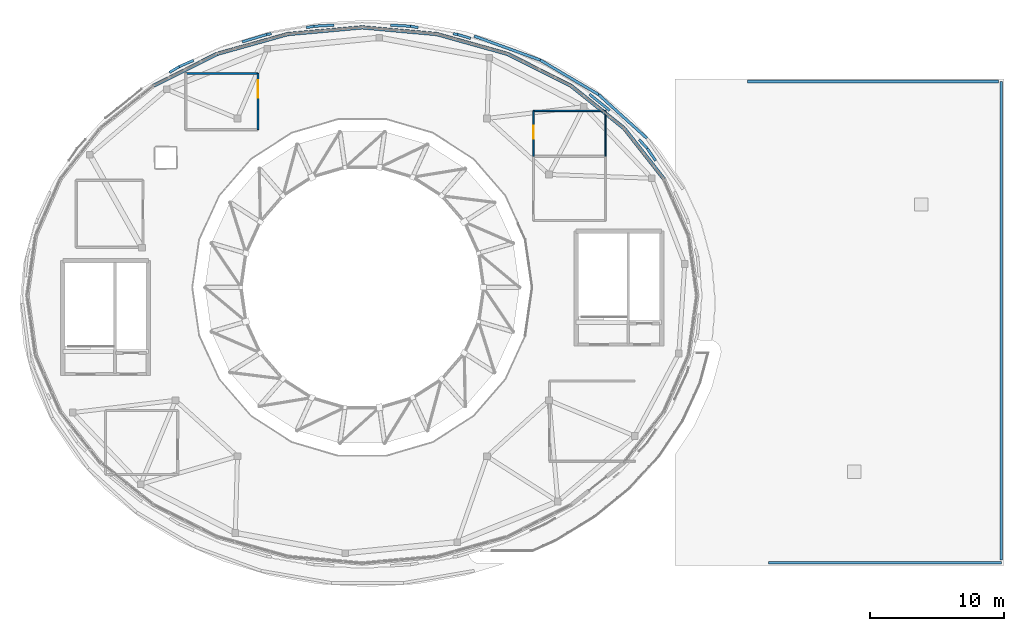
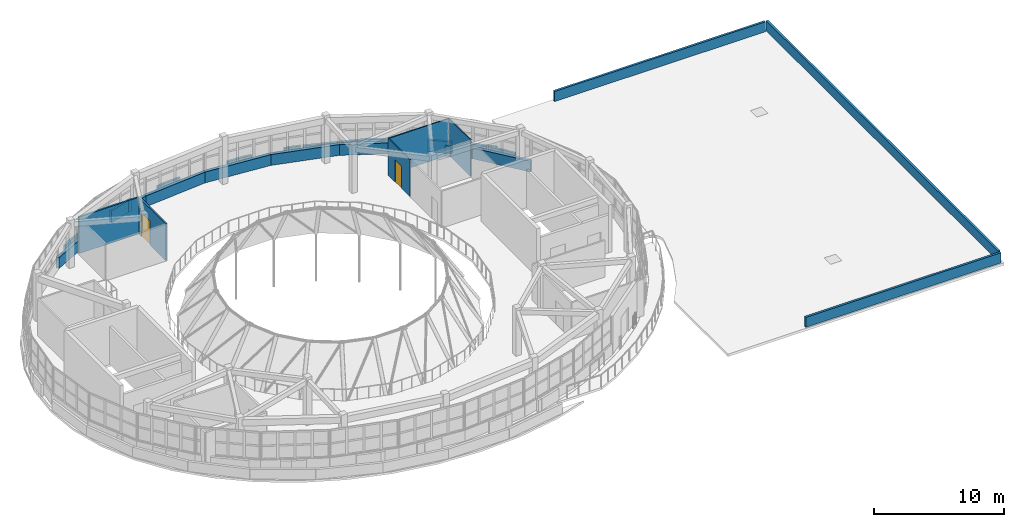
# One storey, part 35 of 38: 32 walls, 2 doors, 2 openings.
"""IFC4 building model written with IfcOpenShell, lengths in metres."""

from ifc_helpers import new_model, si_unit, direction, frame, frame_2d, origin, place, context, subcontext, project, spatial, rectangle, extrude, material, layer, layer_set, type_object, element, fill, save


model = new_model("IFC4")

# Units and contexts
model_context = context("Model", 3, precision=1e-05, world=origin(), true_north=direction((0.0, 1.0)))
body_context = subcontext(model_context, "Body", "Model", "MODEL_VIEW")
ifc_project = project(units=[si_unit("LENGTHUNIT", "METRE"), si_unit("AREAUNIT", "SQUARE_METRE"), si_unit("VOLUMEUNIT", "CUBIC_METRE"), si_unit("PLANEANGLEUNIT", "RADIAN"), si_unit("MASSUNIT", "GRAM", prefix="KILO")], contexts=[model_context])

# Site, building, storey
site_placement = place(None, origin())
site = spatial("IfcSite", under=ifc_project, at=site_placement, CompositionType="ELEMENT")
building_placement = place(site_placement, origin())
building = spatial("IfcBuilding", under=site, at=building_placement, Name="Pelvatis Terrace Science Centre", CompositionType="ELEMENT")
storey_placement = place(building_placement, frame((0.0, 0.0, 24.300048828125)))
storey = spatial("IfcBuildingStorey", under=building, at=storey_placement, Name="L05", CompositionType="ELEMENT", Elevation=24.300048828125)

# Walls
ifc_material_1 = material(Name="White architectural precast concrete C40/50 spandrel", Category="concrete")
ifc_layer_1 = layer(ifc_material_1, 0.27490234375)
ifc_layer_set_1 = layer_set([ifc_layer_1], Name="White architectural precast concrete C40/50 spandrel")
wall_type_1 = type_object("IfcWallType", Name="WL-EXT-SPND-275", PredefinedType="SOLIDWALL", material=ifc_layer_set_1)
wall_1_placement = place(storey_placement, frame((131.769287109375, 93.8994140625, 0.0), z_axis=(0.0, 0.0, 1.0), x_axis=(-0.617498011037, 0.786572441906, 0.0)))
element("IfcWall", 1, at=wall_1_placement, inside=storey, type_object=wall_type_1, Name="V1 white spiral spandrel band 03 (L05)", PredefinedType="SOLIDWALL", context=body_context, shape_type="SweptSolid", body=[
    extrude(rectangle(XDim=4.8330078125, YDim=0.27490234375, at=frame_2d((2.41650390625, 0.0))), origin(), (0.0, 0.0, 1.0), 1.02001953125),
])
wall_2_placement = place(storey_placement, frame((128.784912109375, 97.700927734375, 0.0), z_axis=(0.0, 0.0, 1.0), x_axis=(-0.780718767482, 0.624882553846, 0.0)))
element("IfcWall", 2, at=wall_2_placement, inside=storey, type_object=wall_type_1, Name="V1 white spiral spandrel band 04 (L05)", PredefinedType="SOLIDWALL", context=body_context, shape_type="SweptSolid", body=[
    extrude(rectangle(XDim=5.08056640625, YDim=0.27490234375, at=frame_2d((2.540283203125, 0.0))), origin(), (0.0, 0.0, 1.0), 1.02001953125),
])
wall_3_placement = place(storey_placement, frame((124.818359375, 100.875732421875, 0.0), z_axis=(0.0, 0.0, 1.0), x_axis=(-0.893377705007, 0.449306439076, 0.0)))
element("IfcWall", 3, at=wall_3_placement, inside=storey, type_object=wall_type_1, Name="V1 white spiral spandrel band 05 (L05)", PredefinedType="SOLIDWALL", context=body_context, shape_type="SweptSolid", body=[
    extrude(rectangle(XDim=5.31640625, YDim=0.27490234375, at=frame_2d((2.658203125, 0.0))), origin(), (0.0, 0.0, 1.0), 1.02001953125),
])
wall_4_placement = place(storey_placement, frame((120.06884765625, 103.264404296875, 0.0), z_axis=(0.0, 0.0, 1.0), x_axis=(-0.962945110284, 0.269697450079, 0.0)))
element("IfcWall", 4, at=wall_4_placement, inside=storey, type_object=wall_type_1, Name="V1 white spiral spandrel band 06 (L05)", PredefinedType="SOLIDWALL", context=body_context, shape_type="SweptSolid", body=[
    extrude(rectangle(XDim=5.49853515625, YDim=0.27490234375, at=frame_2d((2.749267578125, 0.0))), origin(), (0.0, 0.0, 1.0), 1.02001953125),
])
wall_5_placement = place(storey_placement, frame((114.774169921875, 104.747314453125, 0.0), z_axis=(0.0, 0.0, 1.0), x_axis=(-0.995958378124, 0.08981597322, 0.0)))
element("IfcWall", 5, at=wall_5_placement, inside=storey, type_object=wall_type_1, Name="V1 white spiral spandrel band 07 (L05)", PredefinedType="SOLIDWALL", context=body_context, shape_type="SweptSolid", body=[
    extrude(rectangle(XDim=5.596923828125, YDim=0.27490234375, at=frame_2d((2.79833984375, 0.0))), origin(), (0.0, 0.0, 1.0), 1.02001953125),
])
wall_6_placement = place(storey_placement, frame((109.199951171875, 105.25, 0.0), z_axis=(0.0, 0.0, 1.0), x_axis=(-0.995958026213, -0.089819875431, 0.0)))
element("IfcWall", 6, at=wall_6_placement, inside=storey, type_object=wall_type_1, Name="V1 white spiral spandrel band 08 (L05)", PredefinedType="SOLIDWALL", context=body_context, shape_type="SweptSolid", body=[
    extrude(rectangle(XDim=5.5966796875, YDim=0.27490234375, at=frame_2d((2.79833984375, 0.0))), origin(), (0.0, 0.0, 1.0), 1.02001953125),
])
wall_7_placement = place(storey_placement, frame((103.6259765625, 104.747314453125, 0.0), z_axis=(0.0, 0.0, 1.0), x_axis=(-0.962945110284, -0.269697450079, 0.0)))
element("IfcWall", 7, at=wall_7_placement, inside=storey, type_object=wall_type_1, Name="V1 white spiral spandrel band 09 (L05)", PredefinedType="SOLIDWALL", context=body_context, shape_type="SweptSolid", body=[
    extrude(rectangle(XDim=5.49853515625, YDim=0.27490234375, at=frame_2d((2.749267578125, 0.0))), origin(), (0.0, 0.0, 1.0), 1.02001953125),
])
wall_8_placement = place(storey_placement, frame((98.331298828125, 103.264404296875, 0.0), z_axis=(0.0, 0.0, 1.0), x_axis=(-0.893386975115, -0.449288006401, 0.0)))
element("IfcWall", 8, at=wall_8_placement, inside=storey, type_object=wall_type_1, Name="V1 white spiral spandrel band 10 (L05)", PredefinedType="SOLIDWALL", context=body_context, shape_type="SweptSolid", body=[
    extrude(rectangle(XDim=5.316650390625, YDim=0.27490234375, at=frame_2d((2.658203125, 0.0))), origin(), (0.0, 0.0, 1.0), 1.02001953125),
])
ifc_material_2 = material(Name="Glazed laboratory screen", Category="glass")
ifc_layer_2 = layer(ifc_material_2, 0.097900390625)
ifc_layer_set_2 = layer_set([ifc_layer_2], Name="Glazed laboratory screen")
wall_type_2 = type_object("IfcWallType", Name="WL-INT-GAL-098", PredefinedType="PARTITIONING", material=ifc_layer_set_2)
wall_9_placement = place(storey_placement, frame((127.39990234375, 95.60009765625, 0.0), z_axis=(0.0, 0.0, 1.0), x_axis=(0.0, 1.0, 0.0)))
element("IfcWall", 9, at=wall_9_placement, inside=storey, type_object=wall_type_2, Name="Level L05 Accessible WC partition wall E", PredefinedType="PARTITIONING", context=body_context, shape_type="SweptSolid", body=[
    extrude(rectangle(XDim=3.39990234375, YDim=0.097900390625, at=frame_2d((1.699951171875, 0.0))), origin(), (0.0, 0.0, 1.0), 3.449951171875),
])
ifc_material_3 = material(Name="Alcove display partition", Category="masonry")
ifc_layer_3 = layer(ifc_material_3, 0.110107421875)
ifc_layer_set_3 = layer_set([ifc_layer_3], Name="Alcove display partition")
wall_type_3 = type_object("IfcWallType", Name="WL-INT-GAL-110", PredefinedType="PARTITIONING", material=ifc_layer_set_3)
wall_10_placement = place(storey_placement, frame((127.39990234375, 99.0, 0.0), z_axis=(0.0, 0.0, 1.0), x_axis=(-1.0, 0.0, 0.0)))
element("IfcWall", 10, at=wall_10_placement, inside=storey, type_object=wall_type_3, Name="Level L05 Accessible WC partition wall N", PredefinedType="PARTITIONING", context=body_context, shape_type="SweptSolid", body=[
    extrude(rectangle(XDim=5.39990234375, YDim=0.110107421875, at=frame_2d((2.699951171875, 0.0))), origin(), (0.0, 0.0, 1.0), 3.449951171875),
])

# Wall, opening, door
ifc_material_4 = material(Name="Observatory acoustic fire partition", Category="masonry")
ifc_layer_4 = layer(ifc_material_4, 0.14501953125)
ifc_layer_set_4 = layer_set([ifc_layer_4], Name="Observatory acoustic fire partition")
wall_type_4 = type_object("IfcWallType", Name="WL-INT-GAL-145", PredefinedType="PARTITIONING", material=ifc_layer_set_4)
wall_11_placement = place(storey_placement, frame((101.39990234375, 97.60009765625, 0.0), z_axis=(0.0, 0.0, 1.0), x_axis=(0.0, 1.0, 0.0)))
wall_11 = element("IfcWall", 11, at=wall_11_placement, inside=storey, type_object=wall_type_4, Name="Astrophotography and Telescope Control Workroom partition wall E", PredefinedType="PARTITIONING", context=body_context, shape_type="SweptSolid", body=[
    extrude(rectangle(XDim=4.199951171875, YDim=0.14501953125, at=frame_2d((2.10009765625, 0.0))), origin(), (0.0, 0.0, 1.0), 3.449951171875),
])
opening_1_placement = place(wall_11_placement, frame((2.39990234375, 0.0, 0.0)))
opening_1 = element("IfcOpeningElement", 12, at=opening_1_placement, cuts=wall_11, Name="Opening D-223", PredefinedType="OPENING", context=body_context, shape_type="SweptSolid", body=[
    extrude(rectangle(XDim=1.300048828125, YDim=2.25, at=frame_2d((0.64990234375, 1.125))), frame((0.0, 0.08251953125, 0.0), z_axis=(0.0, -1.0, 0.0), x_axis=(1.0, 0.0, 0.0)), (0.0, 0.0, 1.0), 0.1650390625),
])
ifc_material_5 = material(Name="Blackout telescope control room door", Category="wood")
door_type_1 = type_object("IfcDoorType", Name="DR-OBS-1300x2250", OperationType="NOTDEFINED", PredefinedType="DOOR", material=ifc_material_5)
door_1_placement = place(opening_1_placement, origin())
door_1 = element("IfcDoor", 13, at=door_1_placement, inside=storey, type_object=door_type_1, Name="Astrophotography and Telescope Control Workroom entrance door", OperationType="SINGLE_SWING_RIGHT", OverallHeight=2.25, OverallWidth=1.300048828125, PredefinedType="DOOR", context=body_context, shape_type="SweptSolid", body=[
    extrude(rectangle(XDim=1.300048828125, YDim=2.25, at=frame_2d((0.64990234375, 1.125))), frame((0.0, 0.02490234375, 0.0), z_axis=(0.0, -1.0, 0.0), x_axis=(1.0, 0.0, 0.0)), (0.0, 0.0, 1.0), 0.050048828125),
])
fill(opening_1, door_1)

# Wall
wall_12_placement = place(storey_placement, frame((101.39990234375, 101.800048828125, 0.0), z_axis=(0.0, 0.0, 1.0), x_axis=(-1.0, 0.0, 0.0)))
element("IfcWall", 14, at=wall_12_placement, inside=storey, type_object=wall_type_4, Name="Astrophotography and Telescope Control Workroom partition wall N", PredefinedType="PARTITIONING", context=body_context, shape_type="SweptSolid", body=[
    extrude(rectangle(XDim=5.39990234375, YDim=0.14501953125, at=frame_2d((2.699951171875, 0.0))), origin(), (0.0, 0.0, 1.0), 3.449951171875),
])

# Wall, opening, door
ifc_material_6 = material(Name="Accessible WC cubicle partition", Category="masonry")
ifc_layer_5 = layer(ifc_material_6, 0.114990234375)
ifc_layer_set_5 = layer_set([ifc_layer_5], Name="Accessible WC cubicle partition")
wall_type_5 = type_object("IfcWallType", Name="WL-INT-WET-115", PredefinedType="PARTITIONING", material=ifc_layer_set_5)
wall_13_placement = place(storey_placement, frame((122.0, 99.0, 0.0), z_axis=(0.0, 0.0, 1.0), x_axis=(0.0, -1.0, 0.0)))
wall_13 = element("IfcWall", 15, at=wall_13_placement, inside=storey, type_object=wall_type_5, Name="Level L05 Accessible WC partition wall W", PredefinedType="PARTITIONING", context=body_context, shape_type="SweptSolid", body=[
    extrude(rectangle(XDim=3.39990234375, YDim=0.114990234375, at=frame_2d((1.699951171875, 0.0))), origin(), (0.0, 0.0, 1.0), 3.449951171875),
])
opening_2_placement = place(wall_13_placement, frame((1.12109375, 0.0, 0.0)))
opening_2 = element("IfcOpeningElement", 16, at=opening_2_placement, cuts=wall_13, Name="Opening D-227", PredefinedType="OPENING", context=body_context, shape_type="SweptSolid", body=[
    extrude(rectangle(XDim=0.949951171875, YDim=2.10009765625, at=frame_2d((0.47509765625, 1.050048828125))), frame((0.0, 0.0673828125, 0.0), z_axis=(0.0, -1.0, 0.0), x_axis=(1.0, 0.0, 0.0)), (0.0, 0.0, 1.0), 0.135009765625),
])
ifc_material_7 = material(Name="Moisture-resistant accessible restroom door", Category="wood")
door_type_2 = type_object("IfcDoorType", Name="DR-WC-0950x2100", OperationType="NOTDEFINED", PredefinedType="DOOR", material=ifc_material_7)
door_2_placement = place(opening_2_placement, origin())
door_2 = element("IfcDoor", 17, at=door_2_placement, inside=storey, type_object=door_type_2, Name="Level L05 Accessible WC entrance door", OperationType="SINGLE_SWING_RIGHT", OverallHeight=2.10009765625, OverallWidth=0.949951171875, PredefinedType="DOOR", context=body_context, shape_type="SweptSolid", body=[
    extrude(rectangle(XDim=0.949951171875, YDim=2.10009765625, at=frame_2d((0.47509765625, 1.050048828125))), frame((0.0, 0.02490234375, 0.0), z_axis=(0.0, -1.0, 0.0), x_axis=(1.0, 0.0, 0.0)), (0.0, 0.0, 1.0), 0.050048828125),
])
fill(opening_2, door_2)

# Walls
ifc_material_8 = material(Name="White architectural precast concrete C40/50 spandrel parapet", Category="concrete")
ifc_layer_6 = layer(ifc_material_8, 0.18994140625)
ifc_layer_set_6 = layer_set([ifc_layer_6], Name="White architectural precast concrete C40/50 spandrel parapet")
wall_type_6 = type_object("IfcWallType", Name="WL-PAR-190", PredefinedType="PARAPET", material=ifc_layer_set_6)
wall_14_placement = place(storey_placement, frame((139.60009765625, 65.199951171875, 0.0), z_axis=(0.0, 0.0, 1.0), x_axis=(1.0, 0.0, 0.0)))
element("IfcWall", 18, at=wall_14_placement, inside=storey, type_object=wall_type_6, Name="Classical cornice parapet PW-L05-1", PredefinedType="PARAPET", context=body_context, shape_type="SweptSolid", body=[
    extrude(rectangle(XDim=17.39990234375, YDim=0.18994140625, at=frame_2d((8.699951171875, 0.0))), origin(), (0.0, 0.0, 1.0), 0.949951171875),
])
wall_15_placement = place(storey_placement, frame((157.0, 65.39990234375, 0.0), z_axis=(0.0, 0.0, 1.0), x_axis=(0.0, 1.0, 0.0)))
element("IfcWall", 19, at=wall_15_placement, inside=storey, type_object=wall_type_6, Name="Classical cornice parapet PW-L05-2", PredefinedType="PARAPET", context=body_context, shape_type="SweptSolid", body=[
    extrude(rectangle(XDim=35.800048828125, YDim=0.18994140625, at=frame_2d((17.89990234375, 0.0))), origin(), (0.0, 0.0, 1.0), 0.949951171875),
])
wall_16_placement = place(storey_placement, frame((138.0, 101.199951171875, 0.0), z_axis=(0.0, 0.0, 1.0), x_axis=(1.0, 0.0, 0.0)))
element("IfcWall", 20, at=wall_16_placement, inside=storey, type_object=wall_type_6, Name="Classical cornice parapet PW-L05-3", PredefinedType="PARAPET", context=body_context, shape_type="SweptSolid", body=[
    extrude(rectangle(XDim=18.800048828125, YDim=0.18994140625, at=frame_2d((9.39990234375, 0.0))), origin(), (0.0, 0.0, 1.0), 0.949951171875),
])
wall_17_placement = place(storey_placement, frame((94.78466796875, 101.880859375, 0.0), z_axis=(0.0, 0.0, 1.0), x_axis=(0.857050982718, 0.515231611047, 0.0)))
element("IfcWall", 21, at=wall_17_placement, inside=storey, type_object=wall_type_6, Name="Perimeter edge closure parapet PW-EDG-L05-436", PredefinedType="PARAPET", context=body_context, shape_type="SweptSolid", body=[
    extrude(rectangle(XDim=0.829345703125, YDim=0.18994140625, at=frame_2d((0.41455078125, 0.0))), origin(), (0.0, 0.0, 1.0), 1.119873046875),
])
wall_18_placement = place(storey_placement, frame((95.495361328125, 102.30810546875, 0.0), z_axis=(0.0, 0.0, 1.0), x_axis=(0.91572170877, 0.401813081031, 0.0)))
element("IfcWall", 22, at=wall_18_placement, inside=storey, type_object=wall_type_6, Name="Perimeter edge closure parapet PW-EDG-L05-437", PredefinedType="PARAPET", context=body_context, shape_type="SweptSolid", body=[
    extrude(rectangle(XDim=1.184814453125, YDim=0.18994140625, at=frame_2d((0.59228515625, 0.0))), origin(), (0.0, 0.0, 1.0), 1.119873046875),
])
wall_19_placement = place(storey_placement, frame((100.220703125, 104.164794921875, 0.0), z_axis=(0.0, 0.0, 1.0), x_axis=(0.957948828527, 0.286939090964, 0.0)))
element("IfcWall", 23, at=wall_19_placement, inside=storey, type_object=wall_type_6, Name="Perimeter edge closure parapet PW-EDG-L05-438", PredefinedType="PARAPET", context=body_context, shape_type="SweptSolid", body=[
    extrude(rectangle(XDim=1.917724609375, YDim=0.18994140625, at=frame_2d((0.958984375, 0.0))), origin(), (0.0, 0.0, 1.0), 1.119873046875),
])
wall_20_placement = place(storey_placement, frame((102.057861328125, 104.715087890625, 0.0), z_axis=(0.0, 0.0, 1.0), x_axis=(0.985003439963, 0.172534701616, 0.0)))
element("IfcWall", 24, at=wall_20_placement, inside=storey, type_object=wall_type_6, Name="Perimeter edge closure parapet PW-EDG-L05-439", PredefinedType="PARAPET", context=body_context, shape_type="SweptSolid", body=[
    extrude(rectangle(XDim=0.34521484375, YDim=0.18994140625, at=frame_2d((0.172607421875, 0.0))), origin(), (0.0, 0.0, 1.0), 1.119873046875),
])
wall_21_placement = place(storey_placement, frame((105.010986328125, 105.231201171875, 0.0), z_axis=(0.0, 0.0, 1.0), x_axis=(0.985065586189, 0.172179531031, 0.0)))
element("IfcWall", 25, at=wall_21_placement, inside=storey, type_object=wall_type_6, Name="Perimeter edge closure parapet PW-EDG-L05-440", PredefinedType="PARAPET", context=body_context, shape_type="SweptSolid", body=[
    extrude(rectangle(XDim=0.58984375, YDim=0.18994140625, at=frame_2d((0.294921875, 0.0))), origin(), (0.0, 0.0, 1.0), 1.119873046875),
])
for number, where, z_axis, x_axis, name in (
    (26, (105.592041015625, 105.332763671875, 0.0), (0.0, 0.0, 1.0), (0.998362329848, 0.057207152874, 0.0), "Perimeter edge closure parapet PW-EDG-L05-441"),
    (27, (111.30810546875, 105.418701171875, 0.0), (0.0, 0.0, 1.0), (0.998362329848, -0.057207152874, 0.0), "Perimeter edge closure parapet PW-EDG-L05-442"),
):
    element("IfcWall", number, at=place(storey_placement, frame(where, z_axis=z_axis, x_axis=x_axis)), inside=storey, type_object=wall_type_6, Name=name, PredefinedType="PARAPET", context=body_context, shape_type="SweptSolid", body=[
        extrude(rectangle(XDim=1.502197265625, YDim=0.18994140625, at=frame_2d((0.7509765625, 0.0))), origin(), (0.0, 0.0, 1.0), 1.119873046875),
    ])
wall_22_placement = place(storey_placement, frame((112.807861328125, 105.332763671875, 0.0), z_axis=(0.0, 0.0, 1.0), x_axis=(0.985065586189, -0.172179531031, 0.0)))
element("IfcWall", 28, at=wall_22_placement, inside=storey, type_object=wall_type_6, Name="Perimeter edge closure parapet PW-EDG-L05-443", PredefinedType="PARAPET", context=body_context, shape_type="SweptSolid", body=[
    extrude(rectangle(XDim=0.58984375, YDim=0.18994140625, at=frame_2d((0.294921875, 0.0))), origin(), (0.0, 0.0, 1.0), 1.119873046875),
])
wall_23_placement = place(storey_placement, frame((116.002197265625, 104.774658203125, 0.0), z_axis=(0.0, 0.0, 1.0), x_axis=(0.985003439963, -0.172534701616, 0.0)))
element("IfcWall", 29, at=wall_23_placement, inside=storey, type_object=wall_type_6, Name="Perimeter edge closure parapet PW-EDG-L05-444", PredefinedType="PARAPET", context=body_context, shape_type="SweptSolid", body=[
    extrude(rectangle(XDim=0.34521484375, YDim=0.18994140625, at=frame_2d((0.172607421875, 0.0))), origin(), (0.0, 0.0, 1.0), 1.119873046875),
])
wall_24_placement = place(storey_placement, frame((116.34228515625, 104.715087890625, 0.0), z_axis=(0.0, 0.0, 1.0), x_axis=(0.95794708159, -0.286944923064, 0.0)))
element("IfcWall", 30, at=wall_24_placement, inside=storey, type_object=wall_type_6, Name="Perimeter edge closure parapet PW-EDG-L05-445", PredefinedType="PARAPET", context=body_context, shape_type="SweptSolid", body=[
    extrude(rectangle(XDim=1.00048828125, YDim=0.18994140625, at=frame_2d((0.500244140625, 0.0))), origin(), (0.0, 0.0, 1.0), 1.119873046875),
])
wall_25_placement = place(storey_placement, frame((126.197021484375, 100.24853515625, 0.0), z_axis=(0.0, 0.0, 1.0), x_axis=(0.779625403789, -0.626246141518, 0.0)))
element("IfcWall", 31, at=wall_25_placement, inside=storey, type_object=wall_type_6, Name="Perimeter edge closure parapet PW-EDG-L05-446", PredefinedType="PARAPET", context=body_context, shape_type="SweptSolid", body=[
    extrude(rectangle(XDim=1.937255859375, YDim=0.18994140625, at=frame_2d((0.96875, 0.0))), origin(), (0.0, 0.0, 1.0), 1.119873046875),
])
wall_26_placement = place(storey_placement, frame((129.90966796875, 96.84716796875, 0.0), z_axis=(0.0, 0.0, 1.0), x_axis=(0.681881341645, -0.73146280556, 0.0)))
element("IfcWall", 32, at=wall_26_placement, inside=storey, type_object=wall_type_6, Name="Perimeter edge closure parapet PW-EDG-L05-447", PredefinedType="PARAPET", context=body_context, shape_type="SweptSolid", body=[
    extrude(rectangle(XDim=0.896240234375, YDim=0.18994140625, at=frame_2d((0.4482421875, 0.0))), origin(), (0.0, 0.0, 1.0), 1.119873046875),
])
wall_27_placement = place(storey_placement, frame((130.520751953125, 96.191650390625, 0.0), z_axis=(0.0, 0.0, 1.0), x_axis=(0.562297977384, -0.826934691877, 0.0)))
element("IfcWall", 33, at=wall_27_placement, inside=storey, type_object=wall_type_6, Name="Perimeter edge closure parapet PW-EDG-L05-448", PredefinedType="PARAPET", context=body_context, shape_type="SweptSolid", body=[
    extrude(rectangle(XDim=1.10888671875, YDim=0.18994140625, at=frame_2d((0.554443359375, 0.0))), origin(), (0.0, 0.0, 1.0), 1.119873046875),
])
ifc_material_9 = material(Name="White architectural precast concrete C40/50 spandrel parapet", Category="concrete")
ifc_layer_7 = layer(ifc_material_9, 0.205078125)
ifc_layer_set_7 = layer_set([ifc_layer_7], Name="White architectural precast concrete C40/50 spandrel parapet")
wall_type_7 = type_object("IfcWallType", Name="WL-PAR-205", PredefinedType="PARAPET", material=ifc_layer_set_7)
wall_28_placement = place(storey_placement, frame((130.48876953125, 96.955078125, 0.0), z_axis=(0.0, 0.0, 1.0), x_axis=(-0.741736484104, 0.670691425433, 0.0)))
element("IfcWall", 34, at=wall_28_placement, inside=storey, type_object=wall_type_7, Name="White spiral ring parapet PW-CRV-L05-034", PredefinedType="PARAPET", context=body_context, shape_type="SweptSolid", body=[
    extrude(rectangle(XDim=4.869384765625, YDim=0.205078125, at=frame_2d((2.4345703125, 0.0))), origin(), (0.0, 0.0, 1.0), 0.919921875),
])
wall_29_placement = place(storey_placement, frame((126.876953125, 100.220947265625, 0.0), z_axis=(0.0, 0.0, 1.0), x_axis=(-0.860707074996, 0.509100511738, 0.0)))
element("IfcWall", 35, at=wall_29_placement, inside=storey, type_object=wall_type_7, Name="White spiral ring parapet PW-CRV-L05-035", PredefinedType="PARAPET", context=body_context, shape_type="SweptSolid", body=[
    extrude(rectangle(XDim=5.07373046875, YDim=0.205078125, at=frame_2d((2.536865234375, 0.0))), origin(), (0.0, 0.0, 1.0), 0.919921875),
])
wall_30_placement = place(storey_placement, frame((122.510009765625, 102.803955078125, 0.0), z_axis=(0.0, 0.0, 1.0), x_axis=(-0.940147622519, 0.340767439571, 0.0)))
element("IfcWall", 36, at=wall_30_placement, inside=storey, type_object=wall_type_7, Name="White spiral ring parapet PW-CRV-L05-036", PredefinedType="PARAPET", context=body_context, shape_type="SweptSolid", body=[
    extrude(rectangle(XDim=5.2451171875, YDim=0.205078125, at=frame_2d((2.62255859375, 0.0))), origin(), (0.0, 0.0, 1.0), 0.919921875),
])

save(model, "model.ifc")
